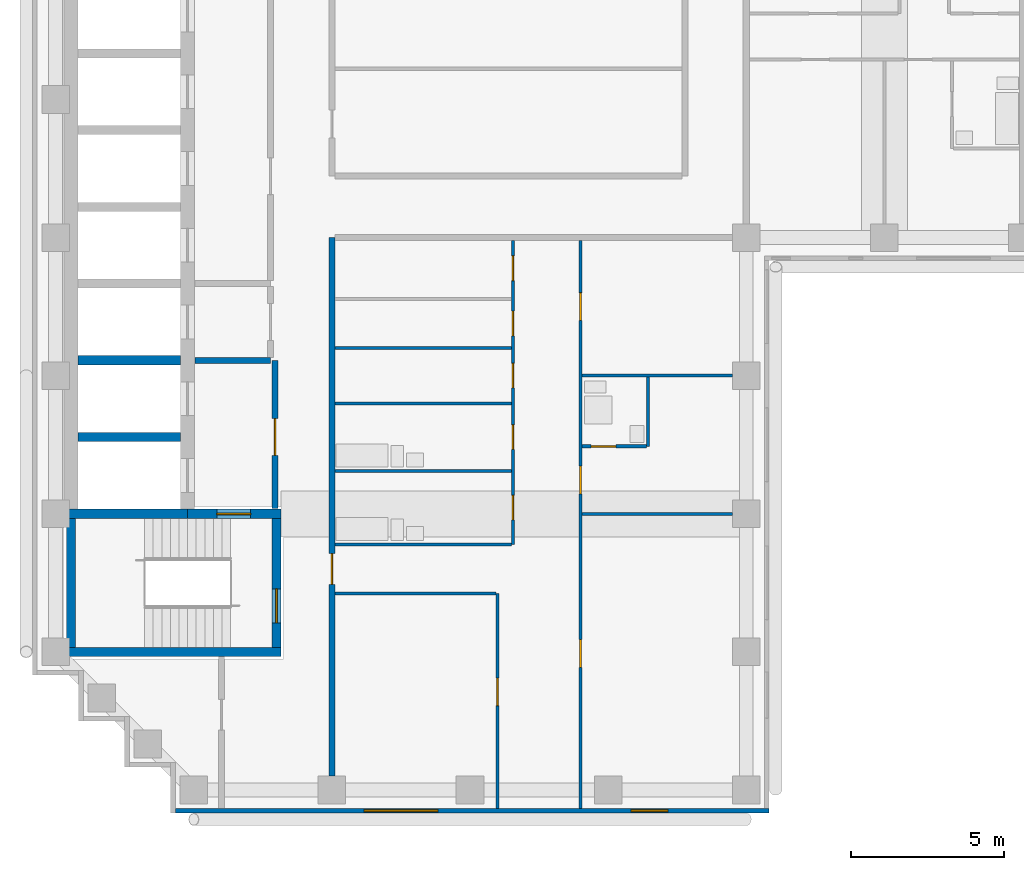
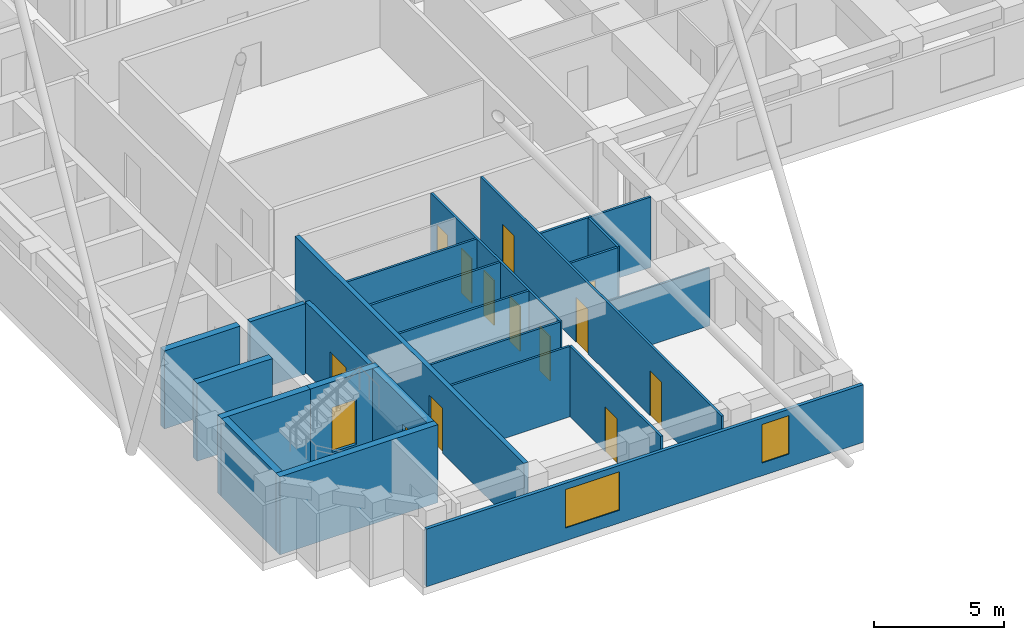
# One storey, part 2 of 8: 23 walls, 14 doors, 2 windows, 16 openings.
"""IFC4 building model written with IfcOpenShell, lengths in metres."""

from ifc_helpers import new_model, si_unit, direction, frame, frame_2d, origin, place, context, subcontext, project, spatial, rectangle, extrude, material, layer, layer_set, type_object, element, fill, save


model = new_model("IFC4")

# Units and contexts
model_context = context("Model", 3, precision=1e-05, world=origin(), true_north=direction((0.0, 1.0)))
body_context = subcontext(model_context, "Body", "Model", "MODEL_VIEW")
ifc_project = project(units=[si_unit("LENGTHUNIT", "METRE"), si_unit("AREAUNIT", "SQUARE_METRE"), si_unit("VOLUMEUNIT", "CUBIC_METRE"), si_unit("PLANEANGLEUNIT", "RADIAN"), si_unit("MASSUNIT", "GRAM", prefix="KILO")], contexts=[model_context])

# Site, building, storey
site_placement = place(None, origin())
site = spatial("IfcSite", under=ifc_project, at=site_placement, CompositionType="ELEMENT")
building_placement = place(site_placement, origin())
building = spatial("IfcBuilding", under=site, at=building_placement, Name="Firuza Court", CompositionType="ELEMENT")
storey_placement = place(building_placement, frame((0.0, 0.0, 233.0)))
storey = spatial("IfcBuildingStorey", under=building, at=storey_placement, Name="L60", CompositionType="ELEMENT", Elevation=233.0)

# Walls
ifc_material_1 = material(Name="Moisture-resistant gypsum board partition")
ifc_layer_1 = layer(ifc_material_1, 0.10009765625)
ifc_layer_set_1 = layer_set([ifc_layer_1], Name="Moisture-resistant gypsum board partition")
wall_type_1 = type_object("IfcWallType", Name="Bathroom partition 100", PredefinedType="PLUMBINGWALL", material=ifc_layer_set_1)
for number, where, z_axis, x_axis, name in (
    (1, (9.10009765625, 26.0, 0.0), (0.0, 0.0, 1.0), (1.0, 0.0, 0.0), "Bathroom partition 100 L60"),
    (2, (9.10009765625, 28.39990234375, 0.0), (0.0, 0.0, 1.0), (1.0, 0.0, 0.0), "Bathroom partition 100 L60"),
):
    element("IfcWall", number, at=place(storey_placement, frame(where, z_axis=z_axis, x_axis=x_axis)), inside=storey, type_object=wall_type_1, Name=name, PredefinedType="PLUMBINGWALL", context=body_context, shape_type="SweptSolid", body=[
        extrude(rectangle(XDim=5.75, YDim=0.10009765625, at=frame_2d((2.875, 0.0))), origin(), (0.0, 0.0, 1.0), 3.300048828125),
    ])

# Wall, opening, door
wall_1_placement = place(storey_placement, frame((17.14990234375, 29.199951171875, 0.0), z_axis=(0.0, 0.0, 1.0), x_axis=(1.0, 0.0, 0.0)))
wall_1 = element("IfcWall", 3, at=wall_1_placement, inside=storey, type_object=wall_type_1, Name="Bathroom partition 100 L60", PredefinedType="PLUMBINGWALL", context=body_context, shape_type="SweptSolid", body=[
    extrude(rectangle(XDim=2.10009765625, YDim=0.10009765625, at=frame_2d((1.050048828125, 0.0))), origin(), (0.0, 0.0, 1.0), 3.300048828125),
])
opening_1_placement = place(wall_1_placement, frame((0.300048828125, 0.0, 0.0)))
opening_1 = element("IfcOpeningElement", 4, at=opening_1_placement, cuts=wall_1, Name="Opening D60023", PredefinedType="OPENING", context=body_context, shape_type="SweptSolid", body=[
    extrude(rectangle(XDim=0.800048828125, YDim=2.10009765625, at=frame_2d((0.39990234375, 1.050048828125))), frame((0.0, 0.06201171875, 0.0), z_axis=(0.0, -1.0, 0.0), x_axis=(1.0, 0.0, 0.0)), (0.0, 0.0, 1.0), 0.1240234375),
])
ifc_material_2 = material(Name="Timber door leaf in hardwood frame", Category="wood")
door_type_1 = type_object("IfcDoorType", Name="Bathroom door 800", OperationType="SINGLE_SWING_LEFT", PredefinedType="DOOR", material=ifc_material_2)
door_1_placement = place(opening_1_placement, origin())
door_1 = element("IfcDoor", 5, at=door_1_placement, inside=storey, type_object=door_type_1, Name="En-suite door", OperationType="SINGLE_SWING_LEFT", OverallHeight=2.10009765625, OverallWidth=0.800048828125, PredefinedType="DOOR", context=body_context, shape_type="SweptSolid", body=[
    extrude(rectangle(XDim=0.800048828125, YDim=2.10009765625, at=frame_2d((0.39990234375, 1.050048828125))), frame((0.0, 0.02490234375, 0.0), z_axis=(0.0, -1.0, 0.0), x_axis=(1.0, 0.0, 0.0)), (0.0, 0.0, 1.0), 0.050048828125),
])
fill(opening_1, door_1)

# Walls
wall_2_placement = place(storey_placement, frame((19.300048828125, 29.199951171875, 0.0), z_axis=(0.0, 0.0, 1.0), x_axis=(0.0, 1.0, 0.0)))
element("IfcWall", 6, at=wall_2_placement, inside=storey, type_object=wall_type_1, Name="Bathroom partition 100 L60", PredefinedType="PLUMBINGWALL", context=body_context, shape_type="SweptSolid", body=[
    extrude(rectangle(XDim=2.25, YDim=0.10009765625, at=frame_2d((1.125, 0.0))), origin(), (0.0, 0.0, 1.0), 3.300048828125),
])
wall_3_placement = place(storey_placement, frame((9.10009765625, 30.60009765625, 0.0), z_axis=(0.0, 0.0, 1.0), x_axis=(1.0, 0.0, 0.0)))
element("IfcWall", 7, at=wall_3_placement, inside=storey, type_object=wall_type_1, Name="Bathroom partition 100 L60", PredefinedType="PLUMBINGWALL", context=body_context, shape_type="SweptSolid", body=[
    extrude(rectangle(XDim=5.75, YDim=0.10009765625, at=frame_2d((2.875, 0.0))), origin(), (0.0, 0.0, 1.0), 3.300048828125),
])
ifc_material_3 = material(Name="Concrete C50/60", Category="concrete")
ifc_layer_2 = layer(ifc_material_3, 0.300048828125)
ifc_layer_set_2 = layer_set([ifc_layer_2], Name="Concrete C50/60")
wall_type_2 = type_object("IfcWallType", Name="Core wall 300 C50/60", PredefinedType="SHEAR", material=ifc_layer_set_2)
wall_4_placement = place(storey_placement, frame((0.35009765625, 22.5, -0.35009765625), z_axis=(0.0, 0.0, 1.0), x_axis=(1.0, 0.0, 0.0)))
element("IfcWall", 8, at=wall_4_placement, inside=storey, type_object=wall_type_2, Name="Core wall stair L60", PredefinedType="SHEAR", context=body_context, shape_type="SweptSolid", body=[
    extrude(rectangle(XDim=7.0, YDim=0.300048828125, at=frame_2d((3.5, 0.0))), origin(), (0.0, 0.0, 1.0), 3.650146484375),
])
wall_5_placement = place(storey_placement, frame((0.35009765625, 27.0, -0.35009765625), z_axis=(0.0, 0.0, 1.0), x_axis=(1.0, 0.0, 0.0)))
element("IfcWall", 9, at=wall_5_placement, inside=storey, type_object=wall_type_2, Name="Core wall lift shaft L60", PredefinedType="SHEAR", context=body_context, shape_type="SweptSolid", body=[
    extrude(rectangle(XDim=3.949951171875, YDim=0.300048828125, at=frame_2d((1.97509765625, 0.0))), origin(), (0.0, 0.0, 1.0), 3.650146484375),
])
wall_6_placement = place(storey_placement, frame((0.5, 22.64990234375, -0.35009765625), z_axis=(0.0, 0.0, 1.0), x_axis=(0.0, 1.0, 0.0)))
element("IfcWall", 10, at=wall_6_placement, inside=storey, type_object=wall_type_2, Name="Core wall stair L60", PredefinedType="SHEAR", context=body_context, shape_type="SweptSolid", body=[
    extrude(rectangle(XDim=4.2001953125, YDim=0.300048828125, at=frame_2d((2.10009765625, 0.0))), origin(), (0.0, 0.0, 1.0), 3.650146484375),
])
for number, where, z_axis, x_axis, name in (
    (11, (0.72509765625, 29.5, -0.35009765625), (0.0, 0.0, 1.0), (1.0, 0.0, 0.0), "Core wall lift shaft L60"),
    (12, (0.72509765625, 32.0, -0.35009765625), (0.0, 0.0, 1.0), (1.0, 0.0, 0.0), "Core wall lift shaft L60"),
):
    element("IfcWall", number, at=place(storey_placement, frame(where, z_axis=z_axis, x_axis=x_axis)), inside=storey, type_object=wall_type_2, Name=name, PredefinedType="SHEAR", context=body_context, shape_type="SweptSolid", body=[
        extrude(rectangle(XDim=3.349853515625, YDim=0.300048828125, at=frame_2d((1.6748046875, 0.0))), origin(), (0.0, 0.0, 1.0), 3.650146484375),
    ])

# Wall, opening, door
wall_7_placement = place(storey_placement, frame((4.300048828125, 27.0, -0.35009765625), z_axis=(0.0, 0.0, 1.0), x_axis=(1.0, 0.0, 0.0)))
wall_7 = element("IfcWall", 13, at=wall_7_placement, inside=storey, type_object=wall_type_2, Name="Core wall stair L60", PredefinedType="SHEAR", context=body_context, shape_type="SweptSolid", body=[
    extrude(rectangle(XDim=3.050048828125, YDim=0.300048828125, at=frame_2d((1.52490234375, 0.0))), origin(), (0.0, 0.0, 1.0), 3.650146484375),
])
opening_2_placement = place(wall_7_placement, frame((0.949951171875, 0.0, 0.35009765625)))
opening_2 = element("IfcOpeningElement", 14, at=opening_2_placement, cuts=wall_7, Name="Opening D60009", PredefinedType="OPENING", context=body_context, shape_type="SweptSolid", body=[
    extrude(rectangle(XDim=1.10009765625, YDim=2.10009765625, at=frame_2d((0.550048828125, 1.050048828125))), frame((0.0, 0.162109375, 0.0), z_axis=(0.0, -1.0, 0.0), x_axis=(1.0, 0.0, 0.0)), (0.0, 0.0, 1.0), 0.323974609375),
])
ifc_material_4 = material(Name="Timber door leaf in hardwood frame", Category="wood")
door_type_2 = type_object("IfcDoorType", Name="Stair door 1100", OperationType="SINGLE_SWING_LEFT", PredefinedType="DOOR", material=ifc_material_4)
door_2_placement = place(opening_2_placement, frame((1.10009765625, 0.0, 0.0), z_axis=(0.0, 0.0, 1.0), x_axis=(-1.0, 0.0, 0.0)))
door_2 = element("IfcDoor", 15, at=door_2_placement, inside=storey, type_object=door_type_2, Name="Fire-fighting lobby door", OperationType="SINGLE_SWING_LEFT", OverallHeight=2.10009765625, OverallWidth=1.10009765625, PredefinedType="DOOR", context=body_context, shape_type="SweptSolid", body=[
    extrude(rectangle(XDim=1.10009765625, YDim=2.10009765625, at=frame_2d((0.550048828125, 1.050048828125))), frame((0.0, 0.02490234375, 0.0), z_axis=(0.0, -1.0, 0.0), x_axis=(1.0, 0.0, 0.0)), (0.0, 0.0, 1.0), 0.050048828125),
])
fill(opening_2, door_2)

wall_8_placement = place(storey_placement, frame((7.199951171875, 22.64990234375, -0.35009765625), z_axis=(0.0, 0.0, 1.0), x_axis=(0.0, 1.0, 0.0)))
wall_8 = element("IfcWall", 16, at=wall_8_placement, inside=storey, type_object=wall_type_2, Name="Core wall stair L60", PredefinedType="SHEAR", context=body_context, shape_type="SweptSolid", body=[
    extrude(rectangle(XDim=4.2001953125, YDim=0.300048828125, at=frame_2d((2.10009765625, 0.0))), origin(), (0.0, 0.0, 1.0), 3.650146484375),
])
opening_3_placement = place(wall_8_placement, frame((0.800048828125, 0.0, 0.35009765625)))
opening_3 = element("IfcOpeningElement", 17, at=opening_3_placement, cuts=wall_8, Name="Opening D60010", PredefinedType="OPENING", context=body_context, shape_type="SweptSolid", body=[
    extrude(rectangle(XDim=1.10009765625, YDim=2.10009765625, at=frame_2d((0.550048828125, 1.050048828125))), frame((0.0, 0.162109375, 0.0), z_axis=(0.0, -1.0, 0.0), x_axis=(1.0, 0.0, 0.0)), (0.0, 0.0, 1.0), 0.323974609375),
])
door_3_placement = place(opening_3_placement, origin())
door_3 = element("IfcDoor", 18, at=door_3_placement, inside=storey, type_object=door_type_2, Name="Stair door S2", OperationType="SINGLE_SWING_LEFT", OverallHeight=2.10009765625, OverallWidth=1.10009765625, PredefinedType="DOOR", context=body_context, shape_type="SweptSolid", body=[
    extrude(rectangle(XDim=1.10009765625, YDim=2.10009765625, at=frame_2d((0.550048828125, 1.050048828125))), frame((0.0, 0.02490234375, 0.0), z_axis=(0.0, -1.0, 0.0), x_axis=(1.0, 0.0, 0.0)), (0.0, 0.0, 1.0), 0.050048828125),
])
fill(opening_3, door_3)

ifc_material_5 = material(Name="Blockwork, plastered both sides", Category="masonry")
ifc_layer_3 = layer(ifc_material_5, 0.199951171875)
ifc_layer_set_3 = layer_set([ifc_layer_3], Name="Blockwork, plastered both sides")
wall_type_3 = type_object("IfcWallType", Name="Corridor wall 200", PredefinedType="PARTITIONING", material=ifc_layer_set_3)
wall_9_placement = place(storey_placement, frame((9.0, 18.449951171875, 0.0), z_axis=(0.0, 0.0, 1.0), x_axis=(0.0, 1.0, 0.0)))
wall_9 = element("IfcWall", 19, at=wall_9_placement, inside=storey, type_object=wall_type_3, Name="Corridor wall 200 L60", PredefinedType="PARTITIONING", context=body_context, shape_type="SweptSolid", body=[
    extrude(rectangle(XDim=17.550048828125, YDim=0.199951171875, at=frame_2d((8.77490234375, 0.0))), origin(), (0.0, 0.0, 1.0), 3.300048828125),
])
opening_4_placement = place(wall_9_placement, frame((6.25, 0.0, 0.0)))
opening_4 = element("IfcOpeningElement", 20, at=opening_4_placement, cuts=wall_9, Name="Opening D60017", PredefinedType="OPENING", context=body_context, shape_type="SweptSolid", body=[
    extrude(rectangle(XDim=1.0, YDim=2.10009765625, at=frame_2d((0.5, 1.050048828125))), frame((0.0, 0.11181640625, 0.0), z_axis=(0.0, -1.0, 0.0), x_axis=(1.0, 0.0, 0.0)), (0.0, 0.0, 1.0), 0.223876953125),
])
ifc_material_6 = material(Name="Timber door leaf in hardwood frame", Category="wood")
door_type_3 = type_object("IfcDoorType", Name="Flat entrance door 1000", OperationType="SINGLE_SWING_LEFT", PredefinedType="DOOR", material=ifc_material_6)
door_4_placement = place(opening_4_placement, origin())
door_4 = element("IfcDoor", 21, at=door_4_placement, inside=storey, type_object=door_type_3, Name="Flat entrance door", OperationType="SINGLE_SWING_LEFT", OverallHeight=2.10009765625, OverallWidth=1.0, PredefinedType="DOOR", context=body_context, shape_type="SweptSolid", body=[
    extrude(rectangle(XDim=1.0, YDim=2.10009765625, at=frame_2d((0.5, 1.050048828125))), frame((0.0, 0.02490234375, 0.0), z_axis=(0.0, -1.0, 0.0), x_axis=(1.0, 0.0, 0.0)), (0.0, 0.0, 1.0), 0.050048828125),
])
fill(opening_4, door_4)

ifc_material_7 = material(Name="Timber stud partition, plasterboard both sides", Category="wood")
ifc_layer_4 = layer(ifc_material_7, 0.10009765625)
ifc_layer_set_4 = layer_set([ifc_layer_4], Name="Timber stud partition, plasterboard both sides")
wall_type_4 = type_object("IfcWallType", Name="Partition wall 100", PredefinedType="PARTITIONING", material=ifc_layer_set_4)
wall_10_placement = place(storey_placement, frame((14.39990234375, 17.39990234375, 0.0), z_axis=(0.0, 0.0, 1.0), x_axis=(0.0, 1.0, 0.0)))
wall_10 = element("IfcWall", 22, at=wall_10_placement, inside=storey, type_object=wall_type_4, Name="Partition wall 100 L60", PredefinedType="PARTITIONING", context=body_context, shape_type="SweptSolid", body=[
    extrude(rectangle(XDim=7.0, YDim=0.10009765625, at=frame_2d((3.5, 0.0))), origin(), (0.0, 0.0, 1.0), 3.300048828125),
])
opening_5_placement = place(wall_10_placement, frame((3.35009765625, 0.0, 0.0)))
opening_5 = element("IfcOpeningElement", 23, at=opening_5_placement, cuts=wall_10, Name="Opening D60013", PredefinedType="OPENING", context=body_context, shape_type="SweptSolid", body=[
    extrude(rectangle(XDim=0.89990234375, YDim=2.10009765625, at=frame_2d((0.449951171875, 1.050048828125))), frame((0.0, 0.06201171875, 0.0), z_axis=(0.0, -1.0, 0.0), x_axis=(1.0, 0.0, 0.0)), (0.0, 0.0, 1.0), 0.1240234375),
])
ifc_material_8 = material(Name="Timber door leaf in hardwood frame", Category="wood")
door_type_4 = type_object("IfcDoorType", Name="Room door 900", OperationType="SINGLE_SWING_LEFT", PredefinedType="DOOR", material=ifc_material_8)
door_5_placement = place(opening_5_placement, origin())
door_5 = element("IfcDoor", 24, at=door_5_placement, inside=storey, type_object=door_type_4, Name="Kitchen door", OperationType="SINGLE_SWING_RIGHT", OverallHeight=2.10009765625, OverallWidth=0.89990234375, PredefinedType="DOOR", context=body_context, shape_type="SweptSolid", body=[
    extrude(rectangle(XDim=0.89990234375, YDim=2.10009765625, at=frame_2d((0.449951171875, 1.050048828125))), frame((0.0, 0.02490234375, 0.0), z_axis=(0.0, -1.0, 0.0), x_axis=(1.0, 0.0, 0.0)), (0.0, 0.0, 1.0), 0.050048828125),
])
fill(opening_5, door_5)

# Wall, openings, doors
wall_11_placement = place(storey_placement, frame((17.10009765625, 17.39990234375, 0.0), z_axis=(0.0, 0.0, 1.0), x_axis=(0.0, 1.0, 0.0)))
wall_11 = element("IfcWall", 25, at=wall_11_placement, inside=storey, type_object=wall_type_4, Name="Partition wall 100 L60", PredefinedType="PARTITIONING", context=body_context, shape_type="SweptSolid", body=[
    extrude(rectangle(XDim=18.5, YDim=0.10009765625, at=frame_2d((9.25, 0.0))), origin(), (0.0, 0.0, 1.0), 3.300048828125),
])
opening_6_placement = place(wall_11_placement, frame((4.60009765625, 0.0, 0.0)))
opening_6 = element("IfcOpeningElement", 26, at=opening_6_placement, cuts=wall_11, Name="Opening D60014", PredefinedType="OPENING", context=body_context, shape_type="SweptSolid", body=[
    extrude(rectangle(XDim=0.89990234375, YDim=2.10009765625, at=frame_2d((0.449951171875, 1.050048828125))), frame((0.0, 0.06201171875, 0.0), z_axis=(0.0, -1.0, 0.0), x_axis=(1.0, 0.0, 0.0)), (0.0, 0.0, 1.0), 0.1240234375),
])
opening_7_placement = place(wall_11_placement, frame((10.25, 0.0, 0.0)))
opening_7 = element("IfcOpeningElement", 27, at=opening_7_placement, cuts=wall_11, Name="Opening D60015", PredefinedType="OPENING", context=body_context, shape_type="SweptSolid", body=[
    extrude(rectangle(XDim=0.89990234375, YDim=2.10009765625, at=frame_2d((0.449951171875, 1.050048828125))), frame((0.0, 0.06201171875, 0.0), z_axis=(0.0, -1.0, 0.0), x_axis=(1.0, 0.0, 0.0)), (0.0, 0.0, 1.0), 0.1240234375),
])
opening_8_placement = place(wall_11_placement, frame((15.89990234375, 0.0, 0.0)))
opening_8 = element("IfcOpeningElement", 28, at=opening_8_placement, cuts=wall_11, Name="Opening D60016", PredefinedType="OPENING", context=body_context, shape_type="SweptSolid", body=[
    extrude(rectangle(XDim=0.89990234375, YDim=2.10009765625, at=frame_2d((0.449951171875, 1.050048828125))), frame((0.0, 0.06201171875, 0.0), z_axis=(0.0, -1.0, 0.0), x_axis=(1.0, 0.0, 0.0)), (0.0, 0.0, 1.0), 0.1240234375),
])
door_6_placement = place(opening_6_placement, frame((0.89990234375, 0.0, 0.0), z_axis=(0.0, 0.0, 1.0), x_axis=(-1.0, 0.0, 0.0)))
door_6 = element("IfcDoor", 29, at=door_6_placement, inside=storey, type_object=door_type_4, Name="Living room door", OperationType="SINGLE_SWING_LEFT", OverallHeight=2.10009765625, OverallWidth=0.89990234375, PredefinedType="DOOR", context=body_context, shape_type="SweptSolid", body=[
    extrude(rectangle(XDim=0.89990234375, YDim=2.10009765625, at=frame_2d((0.449951171875, 1.050048828125))), frame((0.0, 0.02490234375, 0.0), z_axis=(0.0, -1.0, 0.0), x_axis=(1.0, 0.0, 0.0)), (0.0, 0.0, 1.0), 0.050048828125),
])
fill(opening_6, door_6)
door_7_placement = place(opening_7_placement, frame((0.89990234375, 0.0, 0.0), z_axis=(0.0, 0.0, 1.0), x_axis=(-1.0, 0.0, 0.0)))
door_7 = element("IfcDoor", 30, at=door_7_placement, inside=storey, type_object=door_type_4, Name="Bedroom door", OperationType="SINGLE_SWING_RIGHT", OverallHeight=2.10009765625, OverallWidth=0.89990234375, PredefinedType="DOOR", context=body_context, shape_type="SweptSolid", body=[
    extrude(rectangle(XDim=0.89990234375, YDim=2.10009765625, at=frame_2d((0.449951171875, 1.050048828125))), frame((0.0, 0.02490234375, 0.0), z_axis=(0.0, -1.0, 0.0), x_axis=(1.0, 0.0, 0.0)), (0.0, 0.0, 1.0), 0.050048828125),
])
fill(opening_7, door_7)
door_8_placement = place(opening_8_placement, frame((0.89990234375, 0.0, 0.0), z_axis=(0.0, 0.0, 1.0), x_axis=(-1.0, 0.0, 0.0)))
door_8 = element("IfcDoor", 31, at=door_8_placement, inside=storey, type_object=door_type_4, Name="Bedroom door", OperationType="SINGLE_SWING_RIGHT", OverallHeight=2.10009765625, OverallWidth=0.89990234375, PredefinedType="DOOR", context=body_context, shape_type="SweptSolid", body=[
    extrude(rectangle(XDim=0.89990234375, YDim=2.10009765625, at=frame_2d((0.449951171875, 1.050048828125))), frame((0.0, 0.02490234375, 0.0), z_axis=(0.0, -1.0, 0.0), x_axis=(1.0, 0.0, 0.0)), (0.0, 0.0, 1.0), 0.050048828125),
])
fill(opening_8, door_8)

# Wall
wall_12_placement = place(storey_placement, frame((9.10009765625, 24.39990234375, 0.0), z_axis=(0.0, 0.0, 1.0), x_axis=(1.0, 0.0, 0.0)))
element("IfcWall", 32, at=wall_12_placement, inside=storey, type_object=wall_type_4, Name="Partition wall 100 L60", PredefinedType="PARTITIONING", context=body_context, shape_type="SweptSolid", body=[
    extrude(rectangle(XDim=5.25, YDim=0.10009765625, at=frame_2d((2.625, 0.0))), origin(), (0.0, 0.0, 1.0), 3.300048828125),
])

# Wall, openings, doors
wall_13_placement = place(storey_placement, frame((14.89990234375, 26.0, 0.0), z_axis=(0.0, 0.0, 1.0), x_axis=(0.0, 1.0, 0.0)))
wall_13 = element("IfcWall", 33, at=wall_13_placement, inside=storey, type_object=wall_type_4, Name="Partition wall 100 L60", PredefinedType="PARTITIONING", context=body_context, shape_type="SweptSolid", body=[
    extrude(rectangle(XDim=9.89990234375, YDim=0.10009765625, at=frame_2d((4.949951171875, 0.0))), origin(), (0.0, 0.0, 1.0), 3.300048828125),
])
opening_9_placement = place(wall_13_placement, frame((0.800048828125, 0.0, 0.0)))
opening_9 = element("IfcOpeningElement", 34, at=opening_9_placement, cuts=wall_13, Name="Opening D60018", PredefinedType="OPENING", context=body_context, shape_type="SweptSolid", body=[
    extrude(rectangle(XDim=0.800048828125, YDim=2.10009765625, at=frame_2d((0.39990234375, 1.050048828125))), frame((0.0, 0.06201171875, 0.0), z_axis=(0.0, -1.0, 0.0), x_axis=(1.0, 0.0, 0.0)), (0.0, 0.0, 1.0), 0.1240234375),
])
opening_10_placement = place(wall_13_placement, frame((3.10009765625, 0.0, 0.0)))
opening_10 = element("IfcOpeningElement", 35, at=opening_10_placement, cuts=wall_13, Name="Opening D60019", PredefinedType="OPENING", context=body_context, shape_type="SweptSolid", body=[
    extrude(rectangle(XDim=0.800048828125, YDim=2.10009765625, at=frame_2d((0.39990234375, 1.050048828125))), frame((0.0, 0.06201171875, 0.0), z_axis=(0.0, -1.0, 0.0), x_axis=(1.0, 0.0, 0.0)), (0.0, 0.0, 1.0), 0.1240234375),
])
opening_11_placement = place(wall_13_placement, frame((6.800048828125, 0.0, 0.0)))
opening_11 = element("IfcOpeningElement", 36, at=opening_11_placement, cuts=wall_13, Name="Opening D60020", PredefinedType="OPENING", context=body_context, shape_type="SweptSolid", body=[
    extrude(rectangle(XDim=0.800048828125, YDim=2.10009765625, at=frame_2d((0.39990234375, 1.050048828125))), frame((0.0, 0.06201171875, 0.0), z_axis=(0.0, -1.0, 0.0), x_axis=(1.0, 0.0, 0.0)), (0.0, 0.0, 1.0), 0.1240234375),
])
opening_12_placement = place(wall_13_placement, frame((8.60009765625, 0.0, 0.0)))
opening_12 = element("IfcOpeningElement", 37, at=opening_12_placement, cuts=wall_13, Name="Opening D60021", PredefinedType="OPENING", context=body_context, shape_type="SweptSolid", body=[
    extrude(rectangle(XDim=0.800048828125, YDim=2.10009765625, at=frame_2d((0.39990234375, 1.050048828125))), frame((0.0, 0.06201171875, 0.0), z_axis=(0.0, -1.0, 0.0), x_axis=(1.0, 0.0, 0.0)), (0.0, 0.0, 1.0), 0.1240234375),
])
opening_13_placement = place(wall_13_placement, frame((5.10009765625, 0.0, 0.0)))
opening_13 = element("IfcOpeningElement", 38, at=opening_13_placement, cuts=wall_13, Name="Opening D60022", PredefinedType="OPENING", context=body_context, shape_type="SweptSolid", body=[
    extrude(rectangle(XDim=0.800048828125, YDim=2.10009765625, at=frame_2d((0.39990234375, 1.050048828125))), frame((0.0, 0.06201171875, 0.0), z_axis=(0.0, -1.0, 0.0), x_axis=(1.0, 0.0, 0.0)), (0.0, 0.0, 1.0), 0.1240234375),
])
door_9_placement = place(opening_9_placement, origin())
door_9 = element("IfcDoor", 39, at=door_9_placement, inside=storey, type_object=door_type_1, Name="Bathroom door", OperationType="SINGLE_SWING_LEFT", OverallHeight=2.10009765625, OverallWidth=0.800048828125, PredefinedType="DOOR", context=body_context, shape_type="SweptSolid", body=[
    extrude(rectangle(XDim=0.800048828125, YDim=2.10009765625, at=frame_2d((0.39990234375, 1.050048828125))), frame((0.0, 0.02490234375, 0.0), z_axis=(0.0, -1.0, 0.0), x_axis=(1.0, 0.0, 0.0)), (0.0, 0.0, 1.0), 0.050048828125),
])
fill(opening_9, door_9)
door_10_placement = place(opening_10_placement, origin())
door_10 = element("IfcDoor", 40, at=door_10_placement, inside=storey, type_object=door_type_1, Name="Bathroom 2 door", OperationType="SINGLE_SWING_LEFT", OverallHeight=2.10009765625, OverallWidth=0.800048828125, PredefinedType="DOOR", context=body_context, shape_type="SweptSolid", body=[
    extrude(rectangle(XDim=0.800048828125, YDim=2.10009765625, at=frame_2d((0.39990234375, 1.050048828125))), frame((0.0, 0.02490234375, 0.0), z_axis=(0.0, -1.0, 0.0), x_axis=(1.0, 0.0, 0.0)), (0.0, 0.0, 1.0), 0.050048828125),
])
fill(opening_10, door_10)
ifc_material_9 = material(Name="Timber door leaf in hardwood frame", Category="wood")
door_type_5 = type_object("IfcDoorType", Name="Room door 800", OperationType="SINGLE_SWING_LEFT", PredefinedType="DOOR", material=ifc_material_9)
door_11_placement = place(opening_11_placement, origin())
door_11 = element("IfcDoor", 41, at=door_11_placement, inside=storey, type_object=door_type_5, Name="Store door", OperationType="SINGLE_SWING_LEFT", OverallHeight=2.10009765625, OverallWidth=0.800048828125, PredefinedType="DOOR", context=body_context, shape_type="SweptSolid", body=[
    extrude(rectangle(XDim=0.800048828125, YDim=2.10009765625, at=frame_2d((0.39990234375, 1.050048828125))), frame((0.0, 0.02490234375, 0.0), z_axis=(0.0, -1.0, 0.0), x_axis=(1.0, 0.0, 0.0)), (0.0, 0.0, 1.0), 0.050048828125),
])
fill(opening_11, door_11)
door_12_placement = place(opening_12_placement, origin())
door_12 = element("IfcDoor", 42, at=door_12_placement, inside=storey, type_object=door_type_5, Name="Utility room door", OperationType="SINGLE_SWING_LEFT", OverallHeight=2.10009765625, OverallWidth=0.800048828125, PredefinedType="DOOR", context=body_context, shape_type="SweptSolid", body=[
    extrude(rectangle(XDim=0.800048828125, YDim=2.10009765625, at=frame_2d((0.39990234375, 1.050048828125))), frame((0.0, 0.02490234375, 0.0), z_axis=(0.0, -1.0, 0.0), x_axis=(1.0, 0.0, 0.0)), (0.0, 0.0, 1.0), 0.050048828125),
])
fill(opening_12, door_12)
door_13_placement = place(opening_13_placement, origin())
door_13 = element("IfcDoor", 43, at=door_13_placement, inside=storey, type_object=door_type_5, Name="Walk-in wardrobe door", OperationType="SINGLE_SWING_LEFT", OverallHeight=2.10009765625, OverallWidth=0.800048828125, PredefinedType="DOOR", context=body_context, shape_type="SweptSolid", body=[
    extrude(rectangle(XDim=0.800048828125, YDim=2.10009765625, at=frame_2d((0.39990234375, 1.050048828125))), frame((0.0, 0.02490234375, 0.0), z_axis=(0.0, -1.0, 0.0), x_axis=(1.0, 0.0, 0.0)), (0.0, 0.0, 1.0), 0.050048828125),
])
fill(opening_13, door_13)

# Walls
wall_14_placement = place(storey_placement, frame((17.14990234375, 27.0, 0.0), z_axis=(0.0, 0.0, 1.0), x_axis=(1.0, 0.0, 0.0)))
element("IfcWall", 44, at=wall_14_placement, inside=storey, type_object=wall_type_4, Name="Partition wall 100 L60", PredefinedType="PARTITIONING", context=body_context, shape_type="SweptSolid", body=[
    extrude(rectangle(XDim=4.900146484375, YDim=0.10009765625, at=frame_2d((2.4501953125, 0.0))), origin(), (0.0, 0.0, 1.0), 2.699951171875),
])
wall_15_placement = place(storey_placement, frame((17.14990234375, 31.5, 0.0), z_axis=(0.0, 0.0, 1.0), x_axis=(1.0, 0.0, 0.0)))
element("IfcWall", 45, at=wall_15_placement, inside=storey, type_object=wall_type_4, Name="Partition wall 100 L60", PredefinedType="PARTITIONING", context=body_context, shape_type="SweptSolid", body=[
    extrude(rectangle(XDim=4.900146484375, YDim=0.10009765625, at=frame_2d((2.4501953125, 0.0))), origin(), (0.0, 0.0, 1.0), 3.300048828125),
])
wall_16_placement = place(storey_placement, frame((9.10009765625, 32.39990234375, 0.0), z_axis=(0.0, 0.0, 1.0), x_axis=(1.0, 0.0, 0.0)))
element("IfcWall", 46, at=wall_16_placement, inside=storey, type_object=wall_type_4, Name="Partition wall 100 L60", PredefinedType="PARTITIONING", context=body_context, shape_type="SweptSolid", body=[
    extrude(rectangle(XDim=5.75, YDim=0.10009765625, at=frame_2d((2.875, 0.0))), origin(), (0.0, 0.0, 1.0), 3.300048828125),
])

# Wall, openings, windows
ifc_material_10 = material(Name="Ceramic tile", Category="ceramic")
ifc_layer_5 = layer(ifc_material_10, 0.02001953125)
ifc_material_11 = material(Name="Mineral wool insulation", Category="insulation")
ifc_layer_6 = layer(ifc_material_11, 0.050048828125)
ifc_material_12 = material(Name="Concrete C40/50 precast", Category="concrete")
ifc_layer_7 = layer(ifc_material_12, 0.080078125)
ifc_layer_set_5 = layer_set([ifc_layer_5, ifc_layer_6, ifc_layer_7], Name="Concrete C40/50 precast")
wall_type_5 = type_object("IfcWallType", Name="Precast cladding wall with turquoise TILE PANEL face 150", PredefinedType="STANDARD", material=ifc_layer_set_5)
wall_17_placement = place(storey_placement, frame((3.89990234375, 17.324951171875, 0.0), z_axis=(0.0, 0.0, 1.0), x_axis=(1.0, 0.0, 0.0)))
wall_17 = element("IfcWall", 47, at=wall_17_placement, inside=storey, type_object=wall_type_5, Name="Facade wall L60 S", PredefinedType="STANDARD", context=body_context, shape_type="SweptSolid", body=[
    extrude(rectangle(XDim=19.35009765625, YDim=0.14990234375, at=frame_2d((9.675048828125, 0.0))), origin(), (0.0, 0.0, 1.0), 2.699951171875),
])
opening_14_placement = place(wall_17_placement, frame((6.14990234375, 0.0, 0.60009765625)))
opening_14 = element("IfcOpeningElement", 48, at=opening_14_placement, cuts=wall_17, Name="Opening W1", PredefinedType="OPENING", context=body_context, shape_type="SweptSolid", body=[
    extrude(rectangle(XDim=2.39990234375, YDim=1.800048828125, at=frame_2d((1.199951171875, 0.89990234375))), frame((0.0, 0.0869140625, 0.0), z_axis=(0.0, -1.0, 0.0), x_axis=(1.0, 0.0, 0.0)), (0.0, 0.0, 1.0), 0.173828125),
])
opening_15_placement = place(wall_17_placement, frame((14.849365234375, 0.0, 0.60009765625)))
opening_15 = element("IfcOpeningElement", 49, at=opening_15_placement, cuts=wall_17, Name="Opening W8", PredefinedType="OPENING", context=body_context, shape_type="SweptSolid", body=[
    extrude(rectangle(XDim=1.199951171875, YDim=1.800048828125, at=frame_2d((0.60009765625, 0.89990234375))), frame((0.0, 0.0869140625, 0.0), z_axis=(0.0, -1.0, 0.0), x_axis=(1.0, 0.0, 0.0)), (0.0, 0.0, 1.0), 0.173828125),
])
ifc_material_13 = material(Name="Aluminium frame, triple clear glazing", Category="aluminium")
window_type_1 = type_object("IfcWindowType", Name="Window W1 2400 x 1800", PartitioningType="SINGLE_PANEL", PredefinedType="WINDOW", material=ifc_material_13)
window_1_placement = place(opening_14_placement, origin())
window_1 = element("IfcWindow", 50, at=window_1_placement, inside=storey, type_object=window_type_1, Name="Window L60", OverallHeight=1.800048828125, OverallWidth=2.39990234375, PartitioningType="SINGLE_PANEL", PredefinedType="WINDOW", context=body_context, shape_type="SweptSolid", body=[
    extrude(rectangle(XDim=2.39990234375, YDim=1.800048828125, at=frame_2d((1.199951171875, 0.89990234375))), frame((0.0, 0.030029296875, 0.0), z_axis=(0.0, -1.0, 0.0), x_axis=(1.0, 0.0, 0.0)), (0.0, 0.0, 1.0), 0.06005859375),
])
fill(opening_14, window_1)
ifc_material_14 = material(Name="Aluminium frame, triple clear glazing", Category="aluminium")
window_type_2 = type_object("IfcWindowType", Name="Window W8 1200 x 1800", PartitioningType="SINGLE_PANEL", PredefinedType="WINDOW", material=ifc_material_14)
window_2_placement = place(opening_15_placement, origin())
window_2 = element("IfcWindow", 51, at=window_2_placement, inside=storey, type_object=window_type_2, Name="Window L60", OverallHeight=1.800048828125, OverallWidth=1.199951171875, PartitioningType="SINGLE_PANEL", PredefinedType="WINDOW", context=body_context, shape_type="SweptSolid", body=[
    extrude(rectangle(XDim=1.199951171875, YDim=1.800048828125, at=frame_2d((0.60009765625, 0.89990234375))), frame((0.0, 0.030029296875, 0.0), z_axis=(0.0, -1.0, 0.0), x_axis=(1.0, 0.0, 0.0)), (0.0, 0.0, 1.0), 0.06005859375),
])
fill(opening_15, window_2)

# Wall
ifc_material_15 = material(Name="Blockwork, fire-rated", Category="masonry")
ifc_layer_8 = layer(ifc_material_15, 0.199951171875)
ifc_layer_set_6 = layer_set([ifc_layer_8], Name="Blockwork, fire-rated")
wall_type_6 = type_object("IfcWallType", Name="Shaft wall 200", PredefinedType="PARTITIONING", material=ifc_layer_set_6)
wall_18_placement = place(storey_placement, frame((4.544921875, 32.0, 0.0), z_axis=(0.0, 0.0, 1.0), x_axis=(1.0, 0.0, 0.0)))
element("IfcWall", 52, at=wall_18_placement, inside=storey, type_object=wall_type_6, Name="Shaft wall 200 L60", PredefinedType="PARTITIONING", context=body_context, shape_type="SweptSolid", body=[
    extrude(rectangle(XDim=2.455078125, YDim=0.199951171875, at=frame_2d((1.2275390625, 0.0))), origin(), (0.0, 0.0, 1.0), 3.300048828125),
])

# Wall, opening, door
wall_19_placement = place(storey_placement, frame((7.14990234375, 27.169921875, 0.0), z_axis=(0.0, 0.0, 1.0), x_axis=(0.0, 1.0, 0.0)))
wall_19 = element("IfcWall", 53, at=wall_19_placement, inside=storey, type_object=wall_type_6, Name="Shaft wall 200 L60", PredefinedType="PARTITIONING", context=body_context, shape_type="SweptSolid", body=[
    extrude(rectangle(XDim=4.830078125, YDim=0.199951171875, at=frame_2d((2.4150390625, 0.0))), origin(), (0.0, 0.0, 1.0), 3.300048828125),
])
opening_16_placement = place(wall_19_placement, frame((1.72998046875, 0.0, 0.0)))
opening_16 = element("IfcOpeningElement", 54, at=opening_16_placement, cuts=wall_19, Name="Opening D60002", PredefinedType="OPENING", context=body_context, shape_type="SweptSolid", body=[
    extrude(rectangle(XDim=1.199951171875, YDim=2.10009765625, at=frame_2d((0.60009765625, 1.050048828125))), frame((0.0, 0.11181640625, 0.0), z_axis=(0.0, -1.0, 0.0), x_axis=(1.0, 0.0, 0.0)), (0.0, 0.0, 1.0), 0.223876953125),
])
ifc_material_16 = material(Name="Timber door leaf in hardwood frame", Category="wood")
door_type_6 = type_object("IfcDoorType", Name="Lobby door 1200", OperationType="SINGLE_SWING_LEFT", PredefinedType="DOOR", material=ifc_material_16)
door_14_placement = place(opening_16_placement, origin())
door_14 = element("IfcDoor", 55, at=door_14_placement, inside=storey, type_object=door_type_6, Name="Fire-fighting lobby door", OperationType="SINGLE_SWING_LEFT", OverallHeight=2.10009765625, OverallWidth=1.199951171875, PredefinedType="DOOR", context=body_context, shape_type="SweptSolid", body=[
    extrude(rectangle(XDim=1.199951171875, YDim=2.10009765625, at=frame_2d((0.60009765625, 1.050048828125))), frame((0.0, 0.02490234375, 0.0), z_axis=(0.0, -1.0, 0.0), x_axis=(1.0, 0.0, 0.0)), (0.0, 0.0, 1.0), 0.050048828125),
])
fill(opening_16, door_14)

save(model, "model.ifc")
